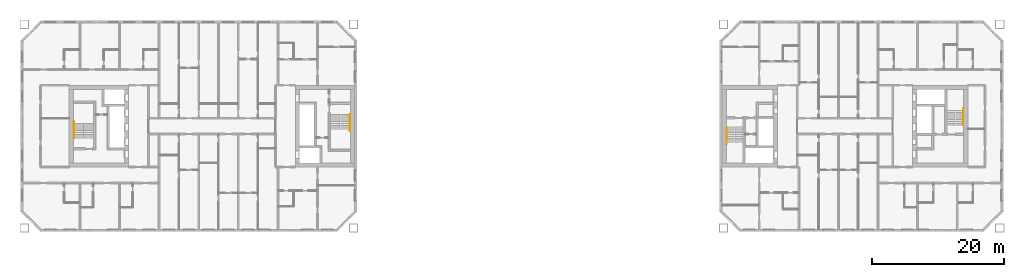
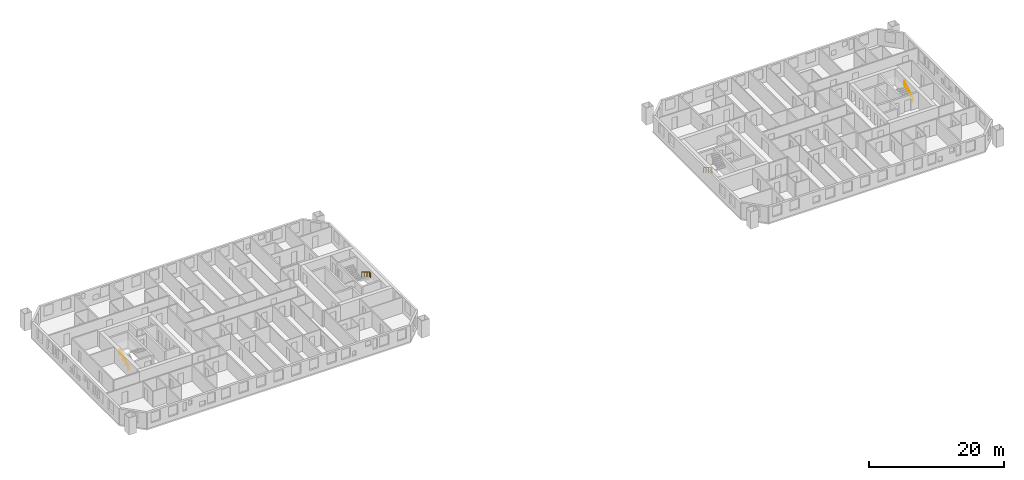
# One storey, part 17 of 17: 4 railings.
"""IFC4 building model written with IfcOpenShell, lengths in metres."""

from ifc_helpers import new_model, si_unit, direction, frame, origin, origin_2d, place, context, subcontext, project, spatial, circle, extrude, material, type_object, element, save


model = new_model("IFC4")

# Units and contexts
model_context = context("Model", 3, precision=1e-05, world=origin(), true_north=direction((0.0, 1.0)))
body_context = subcontext(model_context, "Body", "Model", "MODEL_VIEW")
ifc_project = project(units=[si_unit("LENGTHUNIT", "METRE"), si_unit("AREAUNIT", "SQUARE_METRE"), si_unit("VOLUMEUNIT", "CUBIC_METRE"), si_unit("PLANEANGLEUNIT", "RADIAN"), si_unit("MASSUNIT", "GRAM", prefix="KILO")], contexts=[model_context])

# Site, building, storey
site_placement = place(None, origin())
site = spatial("IfcSite", under=ifc_project, at=site_placement, CompositionType="ELEMENT")
building_placement = place(site_placement, origin())
building = spatial("IfcBuilding", under=site, at=building_placement, Name="Tuart Gate Housing", CompositionType="ELEMENT")
storey_placement = place(building_placement, frame((0.0, 0.0, 102.60009765625)))
storey = spatial("IfcBuildingStorey", under=building, at=storey_placement, Name="L28", CompositionType="ELEMENT", Elevation=102.60009765625)

# Railings
ifc_material = material(Name="Stainless steel", Category="steel")
railing_type = type_object("IfcRailingType", Name="Stair handrail 900", PredefinedType="HANDRAIL", material=ifc_material)
railing_1_placement = place(storey_placement, frame((74.929931640625, 71.800048828125, 0.172119140625)))
element("IfcRailing", 1, at=railing_1_placement, inside=storey, type_object=railing_type, Name="Stair handrail SA1.1", PredefinedType="HANDRAIL", context=body_context, shape_type="SweptSolid", body=[
    extrude(circle(Radius=0.02392578125, at=origin_2d()), frame((0.0, 0.0, 0.8759765625), z_axis=(0.0, -0.85178898068, 0.523885037382), x_axis=(1.0, 0.0, 0.0)), (0.0, 0.0, 1.0), 2.629638671875),
    extrude(circle(Radius=0.02392578125, at=origin_2d()), frame((0.0, -2.239990234375, 2.25341796875), z_axis=(0.0, -1.0, 0.0), x_axis=(1.0, 0.0, 0.0)), (0.0, 0.0, 1.0), 0.300048828125),
    extrude(circle(Radius=0.02099609375, at=origin_2d()), origin(), (0.0, 0.0, 1.0), 0.851806640625),
    extrude(circle(Radius=0.02099609375, at=origin_2d()), frame((0.0, -0.74658203125, 0.459228515625)), (0.0, 0.0, 1.0), 0.851806640625),
    extrude(circle(Radius=0.02099609375, at=origin_2d()), frame((0.0, -1.493408203125, 0.91845703125)), (0.0, 0.0, 1.0), 0.851806640625),
    extrude(circle(Radius=0.02099609375, at=origin_2d()), frame((0.0, -2.239990234375, 1.377685546875)), (0.0, 0.0, 1.0), 0.851806640625),
    extrude(circle(Radius=0.02099609375, at=origin_2d()), frame((0.0, -2.5400390625, 1.377685546875)), (0.0, 0.0, 1.0), 0.851806640625),
])
railing_2_placement = place(storey_placement, frame((33.070068359375, 68.199951171875, 0.172119140625)))
element("IfcRailing", 2, at=railing_2_placement, inside=storey, type_object=railing_type, Name="Stair handrail SA2.1", PredefinedType="HANDRAIL", context=body_context, shape_type="SweptSolid", body=[
    extrude(circle(Radius=0.02392578125, at=origin_2d()), frame((0.0, 0.0, 0.8759765625), z_axis=(0.0, 0.85178898068, 0.523885037382), x_axis=(-1.0, 0.0, 0.0)), (0.0, 0.0, 1.0), 2.629638671875),
    extrude(circle(Radius=0.02392578125, at=origin_2d()), frame((0.0, 2.239990234375, 2.25341796875), z_axis=(0.0, 1.0, 0.0), x_axis=(-1.0, 0.0, 0.0)), (0.0, 0.0, 1.0), 0.300048828125),
    extrude(circle(Radius=0.02099609375, at=origin_2d()), origin(), (0.0, 0.0, 1.0), 0.851806640625),
    extrude(circle(Radius=0.02099609375, at=origin_2d()), frame((0.0, 0.74658203125, 0.459228515625)), (0.0, 0.0, 1.0), 0.851806640625),
    extrude(circle(Radius=0.02099609375, at=origin_2d()), frame((0.0, 1.493408203125, 0.91845703125)), (0.0, 0.0, 1.0), 0.851806640625),
    extrude(circle(Radius=0.02099609375, at=origin_2d()), frame((0.0, 2.239990234375, 1.377685546875)), (0.0, 0.0, 1.0), 0.851806640625),
    extrude(circle(Radius=0.02099609375, at=origin_2d()), frame((0.0, 2.5400390625, 1.377685546875)), (0.0, 0.0, 1.0), 0.851806640625),
])
railing_3_placement = place(storey_placement, frame((132.070068359375, 69.85009765625, 0.172119140625)))
element("IfcRailing", 3, at=railing_3_placement, inside=storey, type_object=railing_type, Name="Stair handrail SB1.1", PredefinedType="HANDRAIL", context=body_context, shape_type="SweptSolid", body=[
    extrude(circle(Radius=0.02392578125, at=origin_2d()), frame((0.0, 0.0, 0.8759765625), z_axis=(0.0, -0.85178898068, 0.523885037382), x_axis=(1.0, 0.0, 0.0)), (0.0, 0.0, 1.0), 2.629638671875),
    extrude(circle(Radius=0.02392578125, at=origin_2d()), frame((0.0, -2.239990234375, 2.25341796875), z_axis=(0.0, -1.0, 0.0), x_axis=(1.0, 0.0, 0.0)), (0.0, 0.0, 1.0), 0.300048828125),
    extrude(circle(Radius=0.02099609375, at=origin_2d()), origin(), (0.0, 0.0, 1.0), 0.851806640625),
    extrude(circle(Radius=0.02099609375, at=origin_2d()), frame((0.0, -0.74658203125, 0.459228515625)), (0.0, 0.0, 1.0), 0.851806640625),
    extrude(circle(Radius=0.02099609375, at=origin_2d()), frame((0.0, -1.493408203125, 0.91845703125)), (0.0, 0.0, 1.0), 0.851806640625),
    extrude(circle(Radius=0.02099609375, at=origin_2d()), frame((0.0, -2.239990234375, 1.377685546875)), (0.0, 0.0, 1.0), 0.851806640625),
    extrude(circle(Radius=0.02099609375, at=origin_2d()), frame((0.0, -2.5400390625, 1.377685546875)), (0.0, 0.0, 1.0), 0.851806640625),
])
railing_4_placement = place(storey_placement, frame((167.929931640625, 70.14990234375, 0.172119140625)))
element("IfcRailing", 4, at=railing_4_placement, inside=storey, type_object=railing_type, Name="Stair handrail SB2.1", PredefinedType="HANDRAIL", context=body_context, shape_type="SweptSolid", body=[
    extrude(circle(Radius=0.02392578125, at=origin_2d()), frame((0.0, 0.0, 0.8759765625), z_axis=(0.0, 0.85178898068, 0.523885037382), x_axis=(-1.0, 0.0, 0.0)), (0.0, 0.0, 1.0), 2.629638671875),
    extrude(circle(Radius=0.02392578125, at=origin_2d()), frame((0.0, 2.239990234375, 2.25341796875), z_axis=(0.0, 1.0, 0.0), x_axis=(-1.0, 0.0, 0.0)), (0.0, 0.0, 1.0), 0.300048828125),
    extrude(circle(Radius=0.02099609375, at=origin_2d()), origin(), (0.0, 0.0, 1.0), 0.851806640625),
    extrude(circle(Radius=0.02099609375, at=origin_2d()), frame((0.0, 0.74658203125, 0.459228515625)), (0.0, 0.0, 1.0), 0.851806640625),
    extrude(circle(Radius=0.02099609375, at=origin_2d()), frame((0.0, 1.493408203125, 0.91845703125)), (0.0, 0.0, 1.0), 0.851806640625),
    extrude(circle(Radius=0.02099609375, at=origin_2d()), frame((0.0, 2.239990234375, 1.377685546875)), (0.0, 0.0, 1.0), 0.851806640625),
    extrude(circle(Radius=0.02099609375, at=origin_2d()), frame((0.0, 2.5400390625, 1.377685546875)), (0.0, 0.0, 1.0), 0.851806640625),
])

save(model, "model.ifc")
